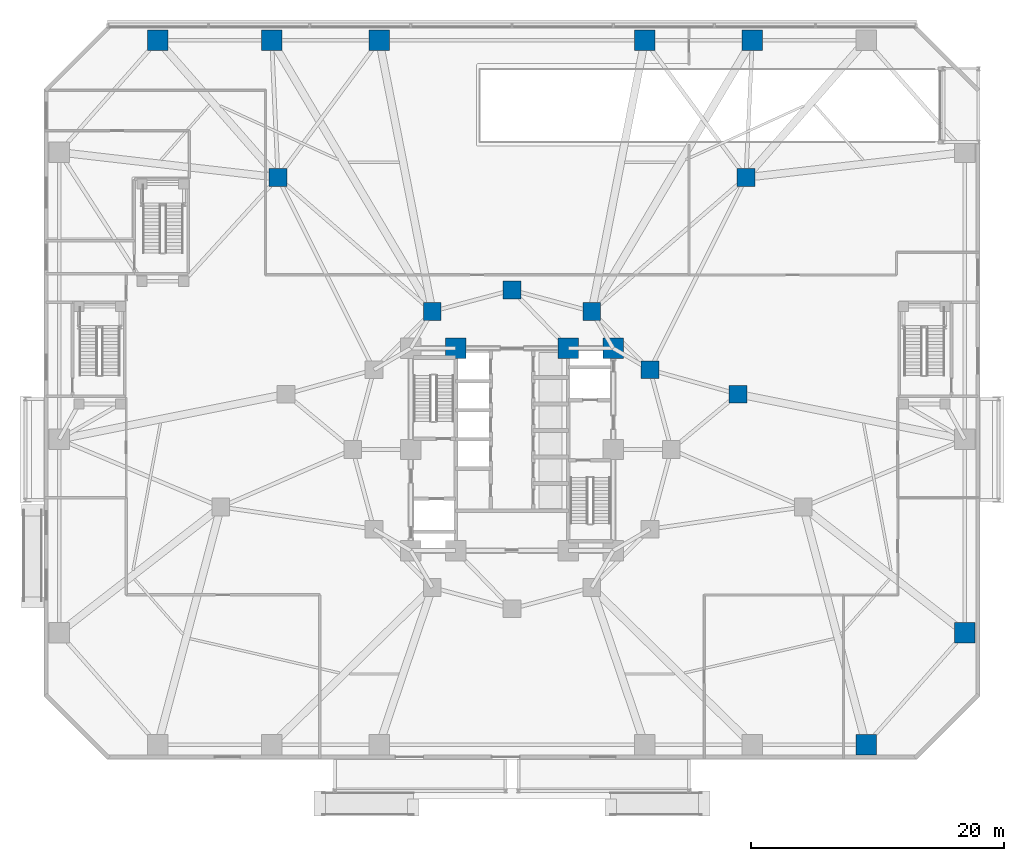
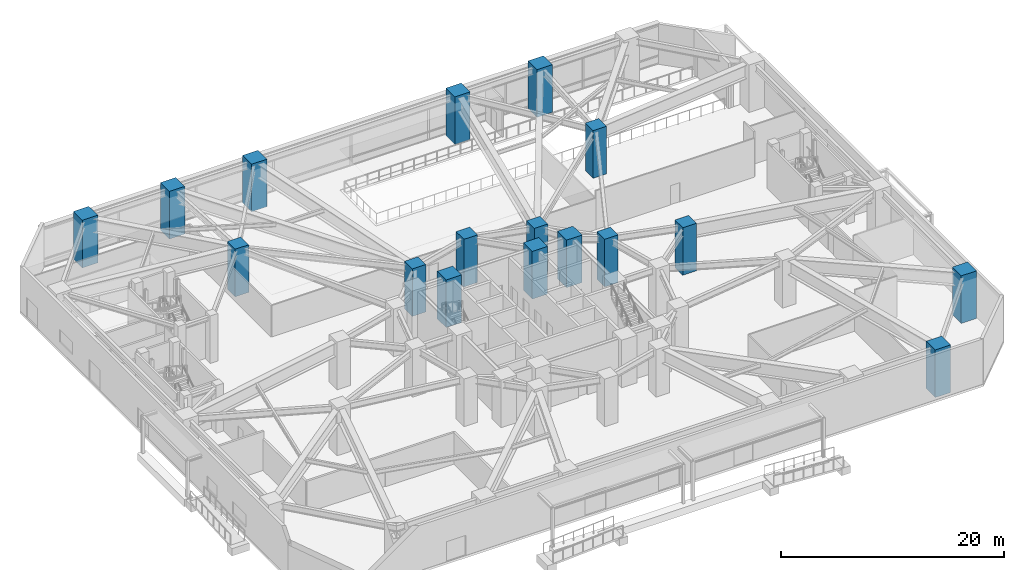
# One storey, part 6 of 30: 17 columns.
"""IFC4 building model written with IfcOpenShell, lengths in metres."""

from ifc_helpers import new_model, si_unit, direction, frame, origin, origin_2d, place, context, subcontext, project, spatial, rectangle, extrude, material, material_profile, profile_set, type_object, element, save


model = new_model("IFC4")

# Units and contexts
model_context = context("Model", 3, precision=1e-05, world=origin(), true_north=direction((0.0, 1.0)))
body_context = subcontext(model_context, "Body", "Model", "MODEL_VIEW")
ifc_project = project(units=[si_unit("LENGTHUNIT", "METRE"), si_unit("AREAUNIT", "SQUARE_METRE"), si_unit("VOLUMEUNIT", "CUBIC_METRE"), si_unit("PLANEANGLEUNIT", "RADIAN"), si_unit("MASSUNIT", "GRAM", prefix="KILO")], contexts=[model_context])

# Site, building, storey
site_placement = place(None, origin())
site = spatial("IfcSite", under=ifc_project, at=site_placement, CompositionType="ELEMENT")
building_placement = place(site_placement, origin())
building = spatial("IfcBuilding", under=site, at=building_placement, Name="Terralouvre Media Tower", CompositionType="ELEMENT")
storey_placement = place(building_placement, origin())
storey = spatial("IfcBuildingStorey", under=building, at=storey_placement, Name="L00", CompositionType="ELEMENT", Elevation=0.0)

# Columns
ifc_material_1 = material(Name="Concrete C60/75", Category="concrete")
ifc_material_profile_1 = material_profile(ifc_material_1, rectangle(XDim=1.39990234375, YDim=1.39990234375, at=origin_2d()), Name="RC 1400x1400")
ifc_profile_set_1 = profile_set([ifc_material_profile_1], Name="Concrete C60/75")
column_type_1 = type_object("IfcColumnType", Name="Structural Column C-RC1400 (RC 1400x1400)", PredefinedType="COLUMN", material=ifc_profile_set_1)
for number, where, z_axis, x_axis, name in (
    (1, (10.911865234375, 6.300048828125, 0.0), (0.0, 0.0, 1.0), (1.0, 0.0, 0.0), "L00 Mega-Frame Column MC02"),
    (2, (6.300048828125, 10.911865234375, 0.0), (0.0, 0.0, 1.0), (1.0, 0.0, 0.0), "L00 Mega-Frame Column MC03"),
    (3, (0.0, 12.60009765625, 0.0), (0.0, 0.0, 1.0), (1.0, 0.0, 0.0), "L00 Mega-Frame Column MC04"),
    (4, (-6.300048828125, 10.911865234375, 0.0), (0.0, 0.0, 1.0), (1.0, 0.0, 0.0), "L00 Mega-Frame Column MC05"),
    (5, (-18.5, 21.5, 0.0), (0.0, 0.0, 1.0), (1.0, 0.0, 0.0), "L00 Podium Transfer Column PM19"),
    (6, (18.5, 21.5, 0.0), (0.0, 0.0, 1.0), (1.0, 0.0, 0.0), "L00 Podium Transfer Column PM20"),
    (7, (17.874755859375, 4.373291015625, 0.0), (0.0, 0.0, 1.0), (1.0, 0.0, 0.0), "L00 Podium Transfer Column PM22"),
):
    element("IfcColumn", number, at=place(storey_placement, frame(where, z_axis=z_axis, x_axis=x_axis)), inside=storey, type_object=column_type_1, Name=name, PredefinedType="COLUMN", context=body_context, shape_type="SweptSolid", body=[
        extrude(rectangle(XDim=1.39990234375, YDim=1.39990234375, at=origin_2d()), origin(), (0.0, 0.0, 1.0), 5.199951171875),
    ])
ifc_material_2 = material(Name="Concrete C60/75", Category="concrete")
ifc_material_profile_2 = material_profile(ifc_material_2, rectangle(XDim=1.60009765625, YDim=1.60009765625, at=origin_2d()), Name="RC 1600x1600")
ifc_profile_set_2 = profile_set([ifc_material_profile_2], Name="Concrete C60/75")
column_type_2 = type_object("IfcColumnType", Name="Structural Column C-RC1600 (RC 1600x1600)", PredefinedType="COLUMN", material=ifc_profile_set_2)
for number, where, z_axis, x_axis, name in (
    (8, (8.0, 8.0, 0.0), (0.0, 0.0, 1.0), (1.0, 0.0, 0.0), "L00 Core Pilaster Column CP5"),
    (9, (4.449951171875, 8.0, 0.0), (0.0, 0.0, 1.0), (1.0, 0.0, 0.0), "L00 Core Pilaster Column CP9"),
    (10, (-4.449951171875, 8.0, 0.0), (0.0, 0.0, 1.0), (1.0, 0.0, 0.0), "L00 Core Pilaster Column CP6"),
    (11, (28.0, -23.35009765625, 0.0), (0.0, 0.0, 1.0), (1.0, 0.0, 0.0), "L00 Perimeter Mega-Column PM06"),
    (12, (35.800048828125, -14.5, 0.0), (0.0, 0.0, 1.0), (1.0, 0.0, 0.0), "L00 Perimeter Mega-Column PM07"),
    (13, (19.0, 32.35009765625, 0.0), (0.0, 0.0, 1.0), (1.0, 0.0, 0.0), "L00 Perimeter Mega-Column PM11"),
    (14, (10.5, 32.35009765625, 0.0), (0.0, 0.0, 1.0), (1.0, 0.0, 0.0), "L00 Perimeter Mega-Column PM12"),
    (15, (-10.5, 32.35009765625, 0.0), (0.0, 0.0, 1.0), (1.0, 0.0, 0.0), "L00 Perimeter Mega-Column PM13"),
    (16, (-19.0, 32.35009765625, 0.0), (0.0, 0.0, 1.0), (1.0, 0.0, 0.0), "L00 Perimeter Mega-Column PM14"),
    (17, (-28.0, 32.35009765625, 0.0), (0.0, 0.0, 1.0), (1.0, 0.0, 0.0), "L00 Perimeter Mega-Column PM15"),
):
    element("IfcColumn", number, at=place(storey_placement, frame(where, z_axis=z_axis, x_axis=x_axis)), inside=storey, type_object=column_type_2, Name=name, PredefinedType="COLUMN", context=body_context, shape_type="SweptSolid", body=[
        extrude(rectangle(XDim=1.60009765625, YDim=1.60009765625, at=origin_2d()), origin(), (0.0, 0.0, 1.0), 5.199951171875),
    ])

save(model, "model.ifc")
